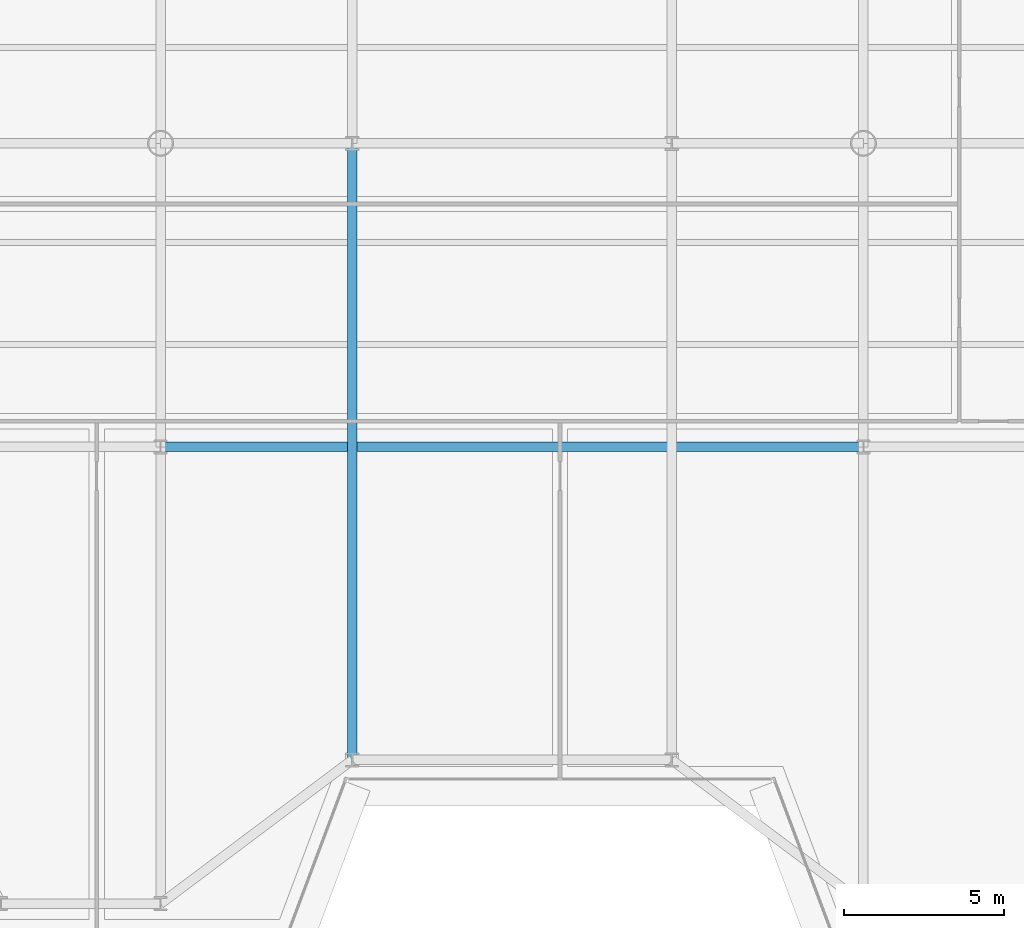
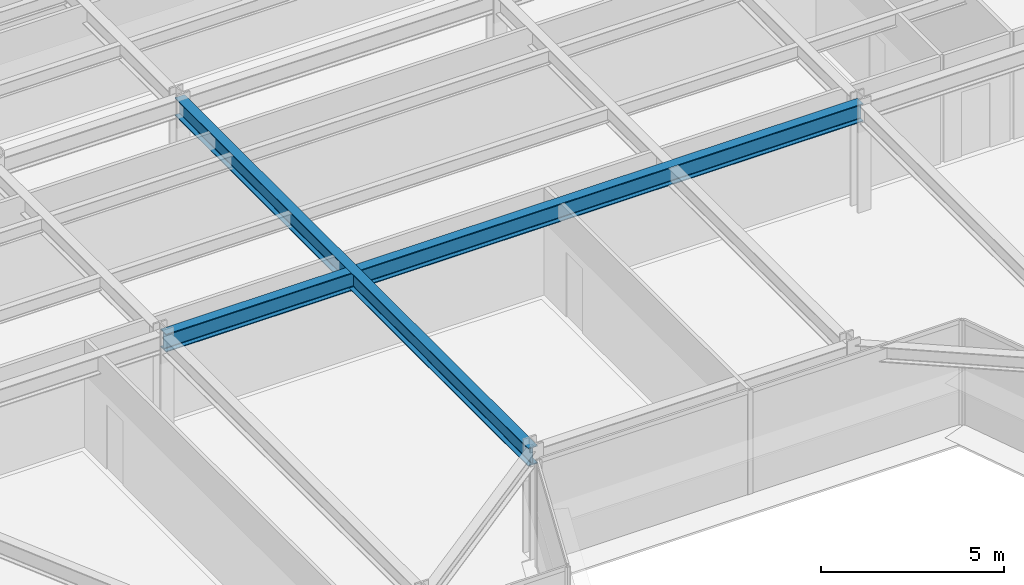
# One storey, part 3 of 17: 2 beams.
"""IFC4 building model written with IfcOpenShell, lengths in metres."""

from ifc_helpers import new_model, si_unit, direction, frame, origin, origin_2d, place, context, subcontext, project, spatial, i_section, extrude, source, transform, mapped, material, material_profile, profile_set, type_object, element, save


model = new_model("IFC4")

# Units and contexts
model_context = context("Model", 3, precision=1e-05, world=origin(), true_north=direction((0.0, 1.0)))
body_context = subcontext(model_context, "Body", "Model", "MODEL_VIEW")
ifc_project = project(units=[si_unit("LENGTHUNIT", "METRE"), si_unit("AREAUNIT", "SQUARE_METRE"), si_unit("VOLUMEUNIT", "CUBIC_METRE"), si_unit("PLANEANGLEUNIT", "RADIAN"), si_unit("MASSUNIT", "GRAM", prefix="KILO")], contexts=[model_context])

# Site, building, storey
site_placement = place(None, origin())
site = spatial("IfcSite", under=ifc_project, at=site_placement, CompositionType="ELEMENT")
building_placement = place(site_placement, origin())
building = spatial("IfcBuilding", under=site, at=building_placement, Name="Vaeldorn Concourse Tower", CompositionType="ELEMENT")
storey_placement = place(building_placement, frame((0.0, 0.0, 172.800048828125)))
storey = spatial("IfcBuildingStorey", under=building, at=storey_placement, Name="L44", CompositionType="ELEMENT", Elevation=172.800048828125)

# Beams
ifc_material = material(Name="Steel S355", Category="steel")
ifc_material_profile = material_profile(ifc_material, i_section(OverallWidth=0.300048828125, OverallDepth=0.60009765625, WebThickness=0.015380859375, FlangeThickness=0.030029296875, FilletRadius=0.027099609375, at=origin_2d()), Name="HEB 600")
ifc_profile_set = profile_set([ifc_material_profile], Name="Steel S355")
beam_type = type_object("IfcBeamType", Name="BM-PG-HEB600", PredefinedType="BEAM", material=ifc_profile_set)
shared_shape_1 = source(origin(), body_context, "Body", "SweptSolid", [
    extrude(i_section(OverallWidth=0.300048828125, OverallDepth=0.60009765625, WebThickness=0.015380859375, FlangeThickness=0.030029296875, FilletRadius=0.027099609375, at=origin_2d()), origin(), (0.0, 0.0, 1.0), 22.0),
])
beam_1_placement = place(storey_placement, frame((23.0, 18.0, 3.280029296875), z_axis=(1.0, 0.0, 0.0), x_axis=(0.0, 1.0, 0.0)))
element("IfcBeam", 1, at=beam_1_placement, inside=storey, type_object=beam_type, Name="Beam BM-L44-C-TW5-C-TW6", PredefinedType="BEAM", context=body_context, shape_type="MappedRepresentation", body=[
    mapped(shared_shape_1, transform((0.0, 0.0, 0.0), scale=1.0)),
])
shared_shape_2 = source(origin(), body_context, "Body", "SweptSolid", [
    extrude(i_section(OverallWidth=0.300048828125, OverallDepth=0.60009765625, WebThickness=0.015380859375, FlangeThickness=0.030029296875, FilletRadius=0.027099609375, at=origin_2d()), origin(), (0.0, 0.0, 1.0), 19.300048828125),
])
beam_2_placement = place(storey_placement, frame((29.0, 8.199951171875, 3.280029296875), z_axis=(0.0, 1.0, 0.0), x_axis=(-1.0, 0.0, 0.0)))
element("IfcBeam", 2, at=beam_2_placement, inside=storey, type_object=beam_type, Name="Beam BM-L44-C-SF3-C-TW2", PredefinedType="BEAM", context=body_context, shape_type="MappedRepresentation", body=[
    mapped(shared_shape_2, transform((0.0, 0.0, 0.0), scale=1.0)),
])

save(model, "model.ifc")
